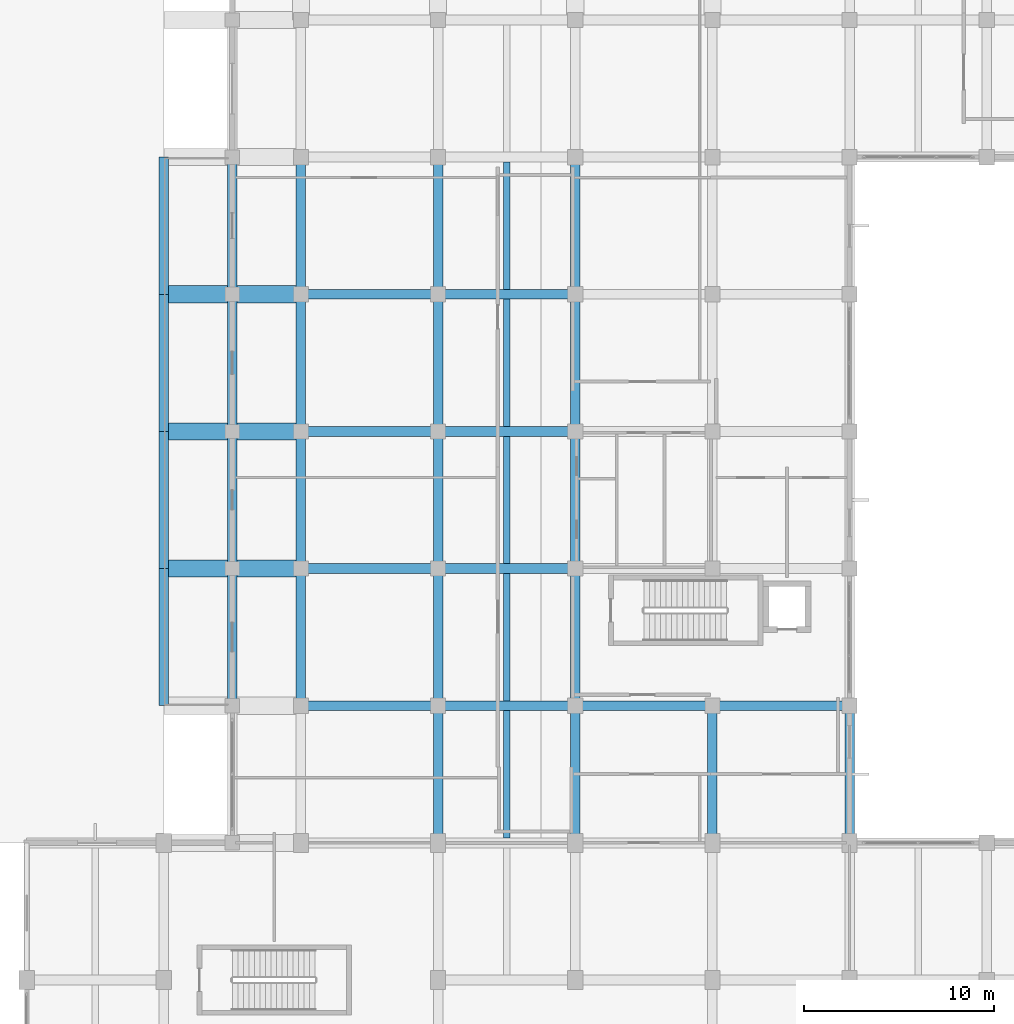
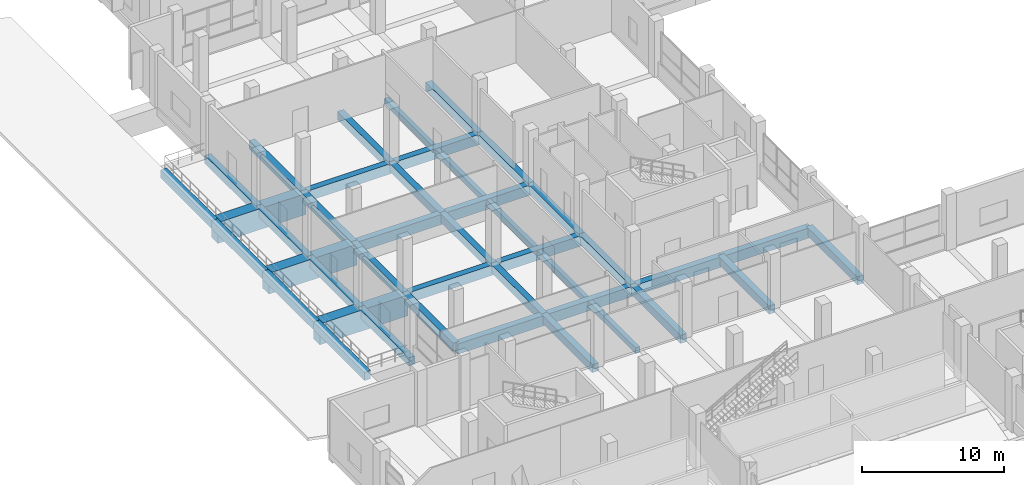
# One storey, part 17 of 140: 42 beams.
"""IFC4 building model written with IfcOpenShell, lengths in metres."""

from ifc_helpers import new_model, si_unit, direction, frame, origin, origin_2d, place, context, subcontext, project, spatial, rectangle, extrude, material, material_profile, profile_set, type_object, element, save


model = new_model("IFC4")

# Units and contexts
model_context = context("Model", 3, precision=1e-05, world=origin(), true_north=direction((0.0, 1.0)))
body_context = subcontext(model_context, "Body", "Model", "MODEL_VIEW")
ifc_project = project(units=[si_unit("LENGTHUNIT", "METRE"), si_unit("AREAUNIT", "SQUARE_METRE"), si_unit("VOLUMEUNIT", "CUBIC_METRE"), si_unit("PLANEANGLEUNIT", "RADIAN"), si_unit("MASSUNIT", "GRAM", prefix="KILO")], contexts=[model_context])

# Site, building, storey
site_placement = place(None, origin())
site = spatial("IfcSite", under=ifc_project, at=site_placement, CompositionType="ELEMENT")
building_placement = place(site_placement, origin())
building = spatial("IfcBuilding", under=site, at=building_placement, Name="Seraya Terrace Polytechnic", CompositionType="ELEMENT")
storey_placement = place(building_placement, frame((0.0, 0.0, 9.60009765625)))
storey = spatial("IfcBuildingStorey", under=building, at=storey_placement, Name="L02", CompositionType="ELEMENT", Elevation=9.60009765625)

# Beams
ifc_material = material(Name="Concrete C40/50", Category="concrete")
ifc_material_profile_1 = material_profile(ifc_material, rectangle(XDim=0.52001953125, YDim=0.8798828125, at=origin_2d()), Name="RC 520x880")
ifc_profile_set_1 = profile_set([ifc_material_profile_1], Name="Concrete C40/50")
beam_type_1 = type_object("IfcBeamType", Name="BM-04", PredefinedType="BEAM", material=ifc_profile_set_1)
beam_1_placement = place(storey_placement, frame((14.39990234375, 36.0, -0.440185546875), z_axis=(1.0, 0.0, 0.0), x_axis=(0.0, 1.0, 0.0)))
element("IfcBeam", 1, at=beam_1_placement, inside=storey, type_object=beam_type_1, Name="Beam BM-04 L02 X (14.4..21.6, 36.0)", PredefinedType="BEAM", context=body_context, shape_type="SweptSolid", body=[
    extrude(rectangle(XDim=0.52001953125, YDim=0.8798828125, at=origin_2d()), origin(), (0.0, 0.0, 1.0), 7.2001953125),
])
for number, where, z_axis, x_axis, name in (
    (2, (21.60009765625, 36.0, -0.440185546875), (1.0, 0.0, 0.0), (0.0, 1.0, 0.0), "Beam BM-04 L02 X (21.6..28.8, 36.0)"),
    (3, (28.800048828125, 36.0, -0.440185546875), (1.0, 0.0, 0.0), (0.0, 1.0, 0.0), "Beam BM-04 L02 X (28.8..36.0, 36.0)"),
    (4, (36.0, 36.0, -0.440185546875), (1.0, 0.0, 0.0), (0.0, 1.0, 0.0), "Beam BM-04 L02 X (36.0..43.2, 36.0)"),
):
    element("IfcBeam", number, at=place(storey_placement, frame(where, z_axis=z_axis, x_axis=x_axis)), inside=storey, type_object=beam_type_1, Name=name, PredefinedType="BEAM", context=body_context, shape_type="SweptSolid", body=[
        extrude(rectangle(XDim=0.52001953125, YDim=0.8798828125, at=origin_2d()), origin(), (0.0, 0.0, 1.0), 7.199951171875),
    ])
beam_2_placement = place(storey_placement, frame((14.39990234375, 43.199951171875, -0.440185546875), z_axis=(1.0, 0.0, 0.0), x_axis=(0.0, 1.0, 0.0)))
element("IfcBeam", 5, at=beam_2_placement, inside=storey, type_object=beam_type_1, Name="Beam BM-04 L02 X (14.4..21.6, 43.2)", PredefinedType="BEAM", context=body_context, shape_type="SweptSolid", body=[
    extrude(rectangle(XDim=0.52001953125, YDim=0.8798828125, at=origin_2d()), origin(), (0.0, 0.0, 1.0), 7.2001953125),
])
beam_3_placement = place(storey_placement, frame((21.60009765625, 43.199951171875, -0.440185546875), z_axis=(1.0, 0.0, 0.0), x_axis=(0.0, 1.0, 0.0)))
element("IfcBeam", 6, at=beam_3_placement, inside=storey, type_object=beam_type_1, Name="Beam BM-04 L02 X (21.6..28.8, 43.2)", PredefinedType="BEAM", context=body_context, shape_type="SweptSolid", body=[
    extrude(rectangle(XDim=0.52001953125, YDim=0.8798828125, at=origin_2d()), origin(), (0.0, 0.0, 1.0), 7.199951171875),
])
beam_4_placement = place(storey_placement, frame((14.39990234375, 50.39990234375, -0.440185546875), z_axis=(1.0, 0.0, 0.0), x_axis=(0.0, 1.0, 0.0)))
element("IfcBeam", 7, at=beam_4_placement, inside=storey, type_object=beam_type_1, Name="Beam BM-04 L02 X (14.4..21.6, 50.4)", PredefinedType="BEAM", context=body_context, shape_type="SweptSolid", body=[
    extrude(rectangle(XDim=0.52001953125, YDim=0.8798828125, at=origin_2d()), origin(), (0.0, 0.0, 1.0), 7.2001953125),
])
beam_5_placement = place(storey_placement, frame((21.60009765625, 50.39990234375, -0.440185546875), z_axis=(1.0, 0.0, 0.0), x_axis=(0.0, 1.0, 0.0)))
element("IfcBeam", 8, at=beam_5_placement, inside=storey, type_object=beam_type_1, Name="Beam BM-04 L02 X (21.6..28.8, 50.4)", PredefinedType="BEAM", context=body_context, shape_type="SweptSolid", body=[
    extrude(rectangle(XDim=0.52001953125, YDim=0.8798828125, at=origin_2d()), origin(), (0.0, 0.0, 1.0), 7.199951171875),
])
beam_6_placement = place(storey_placement, frame((14.39990234375, 57.60009765625, -0.440185546875), z_axis=(1.0, 0.0, 0.0), x_axis=(0.0, 1.0, 0.0)))
element("IfcBeam", 9, at=beam_6_placement, inside=storey, type_object=beam_type_1, Name="Beam BM-04 L02 X (14.4..21.6, 57.6)", PredefinedType="BEAM", context=body_context, shape_type="SweptSolid", body=[
    extrude(rectangle(XDim=0.52001953125, YDim=0.8798828125, at=origin_2d()), origin(), (0.0, 0.0, 1.0), 7.2001953125),
])
beam_7_placement = place(storey_placement, frame((21.60009765625, 57.60009765625, -0.440185546875), z_axis=(1.0, 0.0, 0.0), x_axis=(0.0, 1.0, 0.0)))
element("IfcBeam", 10, at=beam_7_placement, inside=storey, type_object=beam_type_1, Name="Beam BM-04 L02 X (21.6..28.8, 57.6)", PredefinedType="BEAM", context=body_context, shape_type="SweptSolid", body=[
    extrude(rectangle(XDim=0.52001953125, YDim=0.8798828125, at=origin_2d()), origin(), (0.0, 0.0, 1.0), 7.199951171875),
])
ifc_material_profile_2 = material_profile(ifc_material, rectangle(XDim=0.5, YDim=0.699951171875, at=origin_2d()), Name="RC 500x700")
ifc_profile_set_2 = profile_set([ifc_material_profile_2], Name="Concrete C40/50")
beam_type_2 = type_object("IfcBeamType", Name="BM-07", PredefinedType="BEAM", material=ifc_profile_set_2)
for number, where, z_axis, x_axis, name in (
    (11, (7.199951171875, 36.0, -0.35009765625), (0.0, 1.0, 0.0), (-1.0, 0.0, 0.0), "Beam BM-07 L02 Y (7.2, 36.0..43.2)"),
    (12, (7.199951171875, 43.199951171875, -0.35009765625), (0.0, 1.0, 0.0), (-1.0, 0.0, 0.0), "Beam BM-07 L02 Y (7.2, 43.2..50.4)"),
):
    element("IfcBeam", number, at=place(storey_placement, frame(where, z_axis=z_axis, x_axis=x_axis)), inside=storey, type_object=beam_type_2, Name=name, PredefinedType="BEAM", context=body_context, shape_type="SweptSolid", body=[
        extrude(rectangle(XDim=0.5, YDim=0.699951171875, at=origin_2d()), origin(), (0.0, 0.0, 1.0), 7.199951171875),
    ])
beam_8_placement = place(storey_placement, frame((7.199951171875, 50.39990234375, -0.35009765625), z_axis=(0.0, 1.0, 0.0), x_axis=(-1.0, 0.0, 0.0)))
element("IfcBeam", 13, at=beam_8_placement, inside=storey, type_object=beam_type_2, Name="Beam BM-07 L02 Y (7.2, 50.4..57.6)", PredefinedType="BEAM", context=body_context, shape_type="SweptSolid", body=[
    extrude(rectangle(XDim=0.5, YDim=0.699951171875, at=origin_2d()), origin(), (0.0, 0.0, 1.0), 7.2001953125),
])
for number, where, z_axis, x_axis, name in (
    (14, (7.199951171875, 57.60009765625, -0.35009765625), (0.0, 1.0, 0.0), (-1.0, 0.0, 0.0), "Beam BM-07 L02 Y (7.2, 57.6..64.8)"),
    (15, (10.800048828125, 36.0, -0.35009765625), (0.0, 1.0, 0.0), (-1.0, 0.0, 0.0), "Beam BM-07 L02 Y (10.8, 36.0..43.2)"),
    (16, (10.800048828125, 43.199951171875, -0.35009765625), (0.0, 1.0, 0.0), (-1.0, 0.0, 0.0), "Beam BM-07 L02 Y (10.8, 43.2..50.4)"),
):
    element("IfcBeam", number, at=place(storey_placement, frame(where, z_axis=z_axis, x_axis=x_axis)), inside=storey, type_object=beam_type_2, Name=name, PredefinedType="BEAM", context=body_context, shape_type="SweptSolid", body=[
        extrude(rectangle(XDim=0.5, YDim=0.699951171875, at=origin_2d()), origin(), (0.0, 0.0, 1.0), 7.199951171875),
    ])
beam_9_placement = place(storey_placement, frame((10.800048828125, 50.39990234375, -0.35009765625), z_axis=(0.0, 1.0, 0.0), x_axis=(-1.0, 0.0, 0.0)))
element("IfcBeam", 17, at=beam_9_placement, inside=storey, type_object=beam_type_2, Name="Beam BM-07 L02 Y (10.8, 50.4..57.6)", PredefinedType="BEAM", context=body_context, shape_type="SweptSolid", body=[
    extrude(rectangle(XDim=0.5, YDim=0.699951171875, at=origin_2d()), origin(), (0.0, 0.0, 1.0), 7.2001953125),
])
for number, where, z_axis, x_axis, name in (
    (18, (10.800048828125, 57.60009765625, -0.35009765625), (0.0, 1.0, 0.0), (-1.0, 0.0, 0.0), "Beam BM-07 L02 Y (10.8, 57.6..64.8)"),
    (19, (14.39990234375, 36.0, -0.35009765625), (0.0, 1.0, 0.0), (-1.0, 0.0, 0.0), "Beam BM-07 L02 Y (14.4, 36.0..43.2)"),
    (20, (14.39990234375, 43.199951171875, -0.35009765625), (0.0, 1.0, 0.0), (-1.0, 0.0, 0.0), "Beam BM-07 L02 Y (14.4, 43.2..50.4)"),
):
    element("IfcBeam", number, at=place(storey_placement, frame(where, z_axis=z_axis, x_axis=x_axis)), inside=storey, type_object=beam_type_2, Name=name, PredefinedType="BEAM", context=body_context, shape_type="SweptSolid", body=[
        extrude(rectangle(XDim=0.5, YDim=0.699951171875, at=origin_2d()), origin(), (0.0, 0.0, 1.0), 7.199951171875),
    ])
beam_10_placement = place(storey_placement, frame((14.39990234375, 50.39990234375, -0.35009765625), z_axis=(0.0, 1.0, 0.0), x_axis=(-1.0, 0.0, 0.0)))
element("IfcBeam", 21, at=beam_10_placement, inside=storey, type_object=beam_type_2, Name="Beam BM-07 L02 Y (14.4, 50.4..57.6)", PredefinedType="BEAM", context=body_context, shape_type="SweptSolid", body=[
    extrude(rectangle(XDim=0.5, YDim=0.699951171875, at=origin_2d()), origin(), (0.0, 0.0, 1.0), 7.2001953125),
])
for number, where, z_axis, x_axis, name in (
    (22, (14.39990234375, 57.60009765625, -0.35009765625), (0.0, 1.0, 0.0), (-1.0, 0.0, 0.0), "Beam BM-07 L02 Y (14.4, 57.6..64.8)"),
    (23, (21.60009765625, 28.800048828125, -0.35009765625), (0.0, 1.0, 0.0), (-1.0, 0.0, 0.0), "Beam BM-07 L02 Y (21.6, 28.8..36.0)"),
    (24, (21.60009765625, 36.0, -0.35009765625), (0.0, 1.0, 0.0), (-1.0, 0.0, 0.0), "Beam BM-07 L02 Y (21.6, 36.0..43.2)"),
    (25, (21.60009765625, 43.199951171875, -0.35009765625), (0.0, 1.0, 0.0), (-1.0, 0.0, 0.0), "Beam BM-07 L02 Y (21.6, 43.2..50.4)"),
):
    element("IfcBeam", number, at=place(storey_placement, frame(where, z_axis=z_axis, x_axis=x_axis)), inside=storey, type_object=beam_type_2, Name=name, PredefinedType="BEAM", context=body_context, shape_type="SweptSolid", body=[
        extrude(rectangle(XDim=0.5, YDim=0.699951171875, at=origin_2d()), origin(), (0.0, 0.0, 1.0), 7.199951171875),
    ])
beam_11_placement = place(storey_placement, frame((21.60009765625, 50.39990234375, -0.35009765625), z_axis=(0.0, 1.0, 0.0), x_axis=(-1.0, 0.0, 0.0)))
element("IfcBeam", 26, at=beam_11_placement, inside=storey, type_object=beam_type_2, Name="Beam BM-07 L02 Y (21.6, 50.4..57.6)", PredefinedType="BEAM", context=body_context, shape_type="SweptSolid", body=[
    extrude(rectangle(XDim=0.5, YDim=0.699951171875, at=origin_2d()), origin(), (0.0, 0.0, 1.0), 7.2001953125),
])
for number, where, z_axis, x_axis, name in (
    (27, (21.60009765625, 57.60009765625, -0.35009765625), (0.0, 1.0, 0.0), (-1.0, 0.0, 0.0), "Beam BM-07 L02 Y (21.6, 57.6..64.8)"),
    (28, (28.800048828125, 28.800048828125, -0.35009765625), (0.0, 1.0, 0.0), (-1.0, 0.0, 0.0), "Beam BM-07 L02 Y (28.8, 28.8..36.0)"),
    (29, (28.800048828125, 36.0, -0.35009765625), (0.0, 1.0, 0.0), (-1.0, 0.0, 0.0), "Beam BM-07 L02 Y (28.8, 36.0..43.2)"),
    (30, (28.800048828125, 43.199951171875, -0.35009765625), (0.0, 1.0, 0.0), (-1.0, 0.0, 0.0), "Beam BM-07 L02 Y (28.8, 43.2..50.4)"),
):
    element("IfcBeam", number, at=place(storey_placement, frame(where, z_axis=z_axis, x_axis=x_axis)), inside=storey, type_object=beam_type_2, Name=name, PredefinedType="BEAM", context=body_context, shape_type="SweptSolid", body=[
        extrude(rectangle(XDim=0.5, YDim=0.699951171875, at=origin_2d()), origin(), (0.0, 0.0, 1.0), 7.199951171875),
    ])
beam_12_placement = place(storey_placement, frame((28.800048828125, 50.39990234375, -0.35009765625), z_axis=(0.0, 1.0, 0.0), x_axis=(-1.0, 0.0, 0.0)))
element("IfcBeam", 31, at=beam_12_placement, inside=storey, type_object=beam_type_2, Name="Beam BM-07 L02 Y (28.8, 50.4..57.6)", PredefinedType="BEAM", context=body_context, shape_type="SweptSolid", body=[
    extrude(rectangle(XDim=0.5, YDim=0.699951171875, at=origin_2d()), origin(), (0.0, 0.0, 1.0), 7.2001953125),
])
for number, where, z_axis, x_axis, name in (
    (32, (28.800048828125, 57.60009765625, -0.35009765625), (0.0, 1.0, 0.0), (-1.0, 0.0, 0.0), "Beam BM-07 L02 Y (28.8, 57.6..64.8)"),
    (33, (36.0, 28.800048828125, -0.35009765625), (0.0, 1.0, 0.0), (-1.0, 0.0, 0.0), "Beam BM-07 L02 Y (36.0, 28.8..36.0)"),
    (34, (43.199951171875, 28.800048828125, -0.35009765625), (0.0, 1.0, 0.0), (-1.0, 0.0, 0.0), "Beam BM-07 L02 Y (43.2, 28.8..36.0)"),
):
    element("IfcBeam", number, at=place(storey_placement, frame(where, z_axis=z_axis, x_axis=x_axis)), inside=storey, type_object=beam_type_2, Name=name, PredefinedType="BEAM", context=body_context, shape_type="SweptSolid", body=[
        extrude(rectangle(XDim=0.5, YDim=0.699951171875, at=origin_2d()), origin(), (0.0, 0.0, 1.0), 7.199951171875),
    ])
ifc_material_profile_3 = material_profile(ifc_material, rectangle(XDim=0.35009765625, YDim=0.5, at=origin_2d()), Name="RC 350x500")
ifc_profile_set_3 = profile_set([ifc_material_profile_3], Name="Concrete C40/50")
beam_type_3 = type_object("IfcBeamType", Name="JS-03", PredefinedType="JOIST", material=ifc_profile_set_3)
for number, where, z_axis, x_axis, name in (
    (35, (25.199951171875, 29.06005859375, -0.25), (0.0, 1.0, 0.0), (-1.0, 0.0, 0.0), "Secondary joist JS-03 L02"),
    (36, (25.199951171875, 36.260009765625, -0.25), (0.0, 1.0, 0.0), (-1.0, 0.0, 0.0), "Secondary joist JS-03 L02"),
    (37, (25.199951171875, 43.4599609375, -0.25), (0.0, 1.0, 0.0), (-1.0, 0.0, 0.0), "Secondary joist JS-03 L02"),
):
    element("IfcBeam", number, at=place(storey_placement, frame(where, z_axis=z_axis, x_axis=x_axis)), inside=storey, type_object=beam_type_3, Name=name, PredefinedType="JOIST", context=body_context, shape_type="SweptSolid", body=[
        extrude(rectangle(XDim=0.35009765625, YDim=0.5, at=origin_2d()), origin(), (0.0, 0.0, 1.0), 6.679931640625),
    ])
beam_13_placement = place(storey_placement, frame((25.199951171875, 50.659912109375, -0.25), z_axis=(0.0, 1.0, 0.0), x_axis=(-1.0, 0.0, 0.0)))
element("IfcBeam", 38, at=beam_13_placement, inside=storey, type_object=beam_type_3, Name="Secondary joist JS-03 L02", PredefinedType="JOIST", context=body_context, shape_type="SweptSolid", body=[
    extrude(rectangle(XDim=0.35009765625, YDim=0.5, at=origin_2d()), origin(), (0.0, 0.0, 1.0), 6.68017578125),
])
beam_14_placement = place(storey_placement, frame((25.199951171875, 57.860107421875, -0.25), z_axis=(0.0, 1.0, 0.0), x_axis=(-1.0, 0.0, 0.0)))
element("IfcBeam", 39, at=beam_14_placement, inside=storey, type_object=beam_type_3, Name="Secondary joist JS-03 L02", PredefinedType="JOIST", context=body_context, shape_type="SweptSolid", body=[
    extrude(rectangle(XDim=0.35009765625, YDim=0.5, at=origin_2d()), origin(), (0.0, 0.0, 1.0), 6.679931640625),
])
ifc_material_profile_4 = material_profile(ifc_material, rectangle(XDim=0.89990234375, YDim=1.800048828125, at=origin_2d()), Name="RC 900x1800")
ifc_profile_set_4 = profile_set([ifc_material_profile_4], Name="Concrete C40/50")
beam_type_4 = type_object("IfcBeamType", Name="TG-01", PredefinedType="USERDEFINED", material=ifc_profile_set_4)
for number, where, z_axis, x_axis, name in (
    (40, (7.199951171875, 43.199951171875, -0.900146484375), (1.0, 0.0, 0.0), (0.0, 1.0, 0.0), "Transfer girder TG-01 L02 #3"),
    (41, (7.199951171875, 50.39990234375, -0.900146484375), (1.0, 0.0, 0.0), (0.0, 1.0, 0.0), "Transfer girder TG-01 L02 #4"),
    (42, (7.199951171875, 57.60009765625, -0.900146484375), (1.0, 0.0, 0.0), (0.0, 1.0, 0.0), "Transfer girder TG-01 L02 #5"),
):
    element("IfcBeam", number, at=place(storey_placement, frame(where, z_axis=z_axis, x_axis=x_axis)), inside=storey, type_object=beam_type_4, Name=name, ObjectType="GIRDER", PredefinedType="USERDEFINED", context=body_context, shape_type="SweptSolid", body=[
        extrude(rectangle(XDim=0.89990234375, YDim=1.800048828125, at=origin_2d()), origin(), (0.0, 0.0, 1.0), 7.199951171875),
    ])

save(model, "model.ifc")
